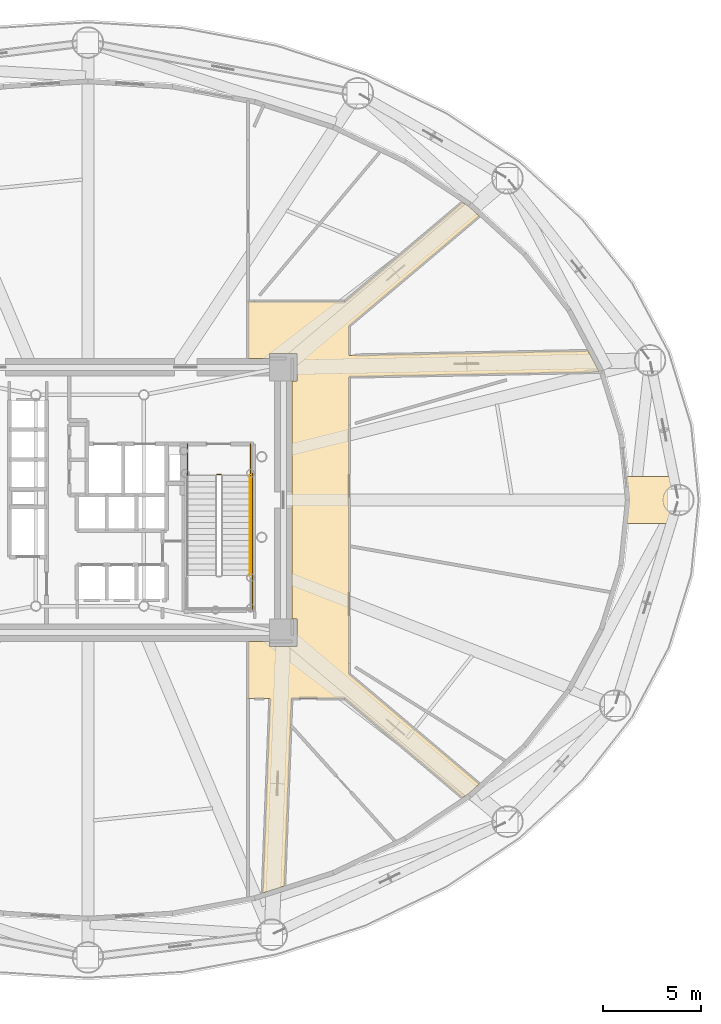
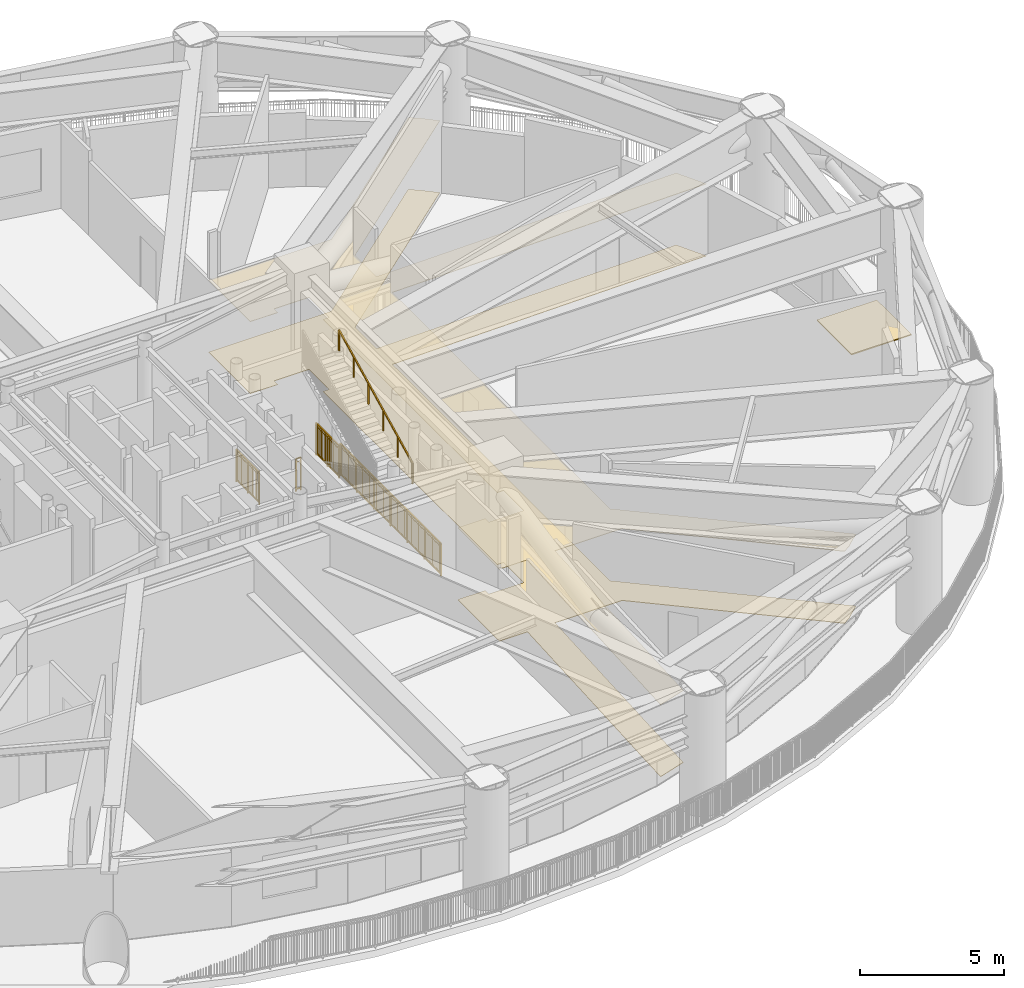
# One storey, part 22 of 22: 5 railings, 3 coverings.
"""IFC4 building model written with IfcOpenShell, lengths in metres."""

from ifc_helpers import new_model, si_unit, direction, frame, origin, origin_2d, place, context, subcontext, project, spatial, polyline, rectangle, outline, extrude, source, transform, mapped, material, layer, layer_set, type_object, element, save


model = new_model("IFC4")

# Units and contexts
model_context = context("Model", 3, precision=1e-05, world=origin(), true_north=direction((0.0, 1.0)))
body_context = subcontext(model_context, "Body", "Model", "MODEL_VIEW")
ifc_project = project(units=[si_unit("LENGTHUNIT", "METRE"), si_unit("AREAUNIT", "SQUARE_METRE"), si_unit("VOLUMEUNIT", "CUBIC_METRE"), si_unit("PLANEANGLEUNIT", "RADIAN"), si_unit("MASSUNIT", "GRAM", prefix="KILO")], contexts=[model_context])

# Site, building, storey
site_placement = place(None, origin())
site = spatial("IfcSite", under=ifc_project, at=site_placement, CompositionType="ELEMENT")
building_placement = place(site_placement, origin())
building = spatial("IfcBuilding", under=site, at=building_placement, Name="Linh Dai School and Residence Tower", CompositionType="ELEMENT")
storey_placement = place(building_placement, frame((0.0, 0.0, 87.0)))
storey = spatial("IfcBuildingStorey", under=building, at=storey_placement, Name="L20", CompositionType="ELEMENT", Elevation=87.0)

# Coverings
ifc_material_1 = material(Name="Mineral Fibre Acoustic Suspended Ceiling", Category="masonry")
ifc_layer_1 = layer(ifc_material_1, 0.02001953125)
ifc_layer_set_1 = layer_set([ifc_layer_1], Name="Mineral Fibre Acoustic Suspended Ceiling")
covering_type_1 = type_object("IfcCoveringType", Name="COV-CEIL-AC-20", PredefinedType="CEILING", material=ifc_layer_set_1)
covering_1_placement = place(storey_placement, frame((0.0, 0.0, 3.050048828125)))
element("IfcCovering", 1, at=covering_1_placement, inside=storey, type_object=covering_type_1, Name="L20 Plant and Refuge Access Corridor East Suspended Ceiling", PredefinedType="CEILING", context=body_context, shape_type="SweptSolid", body=[
    extrude(outline(polyline([(46.371337890625, 16.89990234375), (46.003662109375, 7.355224609375), (44.888916015625, 6.99658203125), (45.2705078125, 16.89990234375), (44.14990234375, 16.89990234375), (44.14990234375, 19.800048828125), (45.25, 19.800048828125), (45.25, 19.550048828125), (46.64990234375, 19.550048828125), (46.64990234375, 20.949951171875), (46.39990234375, 20.949951171875), (46.39990234375, 33.050048828125), (46.64990234375, 33.050048828125), (46.64990234375, 34.449951171875), (45.25, 34.449951171875), (45.25, 34.199951171875), (44.14990234375, 34.199951171875), (44.14990234375, 37.10009765625), (49.068115234375, 37.10009765625), (55.061279296875, 42.15576171875), (55.36279296875, 41.955810546875), (55.9248046875, 41.445068359375), (49.300048828125, 35.8564453125), (49.300048828125, 34.364501953125), (61.446533203125, 34.597900390625), (62.027587890625, 33.5087890625), (49.300048828125, 33.264404296875), (49.300048828125, 18.1435546875), (55.9248046875, 12.554931640625), (55.36279296875, 12.044189453125), (55.061279296875, 11.84423828125), (49.068115234375, 16.89990234375), (46.371337890625, 16.89990234375)])), origin(), (0.0, 0.0, 1.0), 0.02001953125),
])
ifc_material_2 = material(Name="Polished Terrazzo Floor Finish", Category="masonry")
ifc_layer_2 = layer(ifc_material_2, 0.02490234375)
ifc_layer_set_2 = layer_set([ifc_layer_2], Name="Polished Terrazzo Floor Finish")
covering_type_2 = type_object("IfcCoveringType", Name="COV-FLR-TRZ-25", PredefinedType="FLOORING", material=ifc_layer_set_2)
covering_2_placement = place(storey_placement, origin())
element("IfcCovering", 2, at=covering_2_placement, inside=storey, type_object=covering_type_2, Name="L20 Plant and Refuge Access Corridor East Floor Finish", PredefinedType="FLOORING", context=body_context, shape_type="SweptSolid", body=[
    extrude(outline(polyline([(46.371337890625, 16.89990234375), (46.003662109375, 7.355224609375), (44.888916015625, 6.99658203125), (45.2705078125, 16.89990234375), (44.14990234375, 16.89990234375), (44.14990234375, 19.800048828125), (45.25, 19.800048828125), (45.25, 19.550048828125), (46.64990234375, 19.550048828125), (46.64990234375, 20.949951171875), (46.39990234375, 20.949951171875), (46.39990234375, 33.050048828125), (46.64990234375, 33.050048828125), (46.64990234375, 34.449951171875), (45.25, 34.449951171875), (45.25, 34.199951171875), (44.14990234375, 34.199951171875), (44.14990234375, 37.10009765625), (49.068115234375, 37.10009765625), (55.061279296875, 42.15576171875), (55.36279296875, 41.955810546875), (55.9248046875, 41.445068359375), (49.300048828125, 35.8564453125), (49.300048828125, 34.364501953125), (61.446533203125, 34.597900390625), (62.027587890625, 33.5087890625), (49.300048828125, 33.264404296875), (49.300048828125, 18.1435546875), (55.9248046875, 12.554931640625), (55.36279296875, 12.044189453125), (55.061279296875, 11.84423828125), (49.068115234375, 16.89990234375), (46.371337890625, 16.89990234375)])), origin(), (0.0, 0.0, 1.0), 0.02001953125),
])
ifc_material_3 = material(Name="TPO Insulated Waterproofing Roof Membrane", Category="masonry")
ifc_layer_3 = layer(ifc_material_3, 0.044921875)
ifc_layer_set_3 = layer_set([ifc_layer_3], Name="TPO Insulated Waterproofing Roof Membrane")
covering_type_3 = type_object("IfcCoveringType", Name="COV-ROOF-MEM-45", PredefinedType="ROOFING", material=ifc_layer_set_3)
covering_3_placement = place(storey_placement, origin())
element("IfcCovering", 3, at=covering_3_placement, inside=storey, type_object=covering_type_3, Name="L20 Deck Waterproofing Membrane Zone", PredefinedType="ROOFING", context=body_context, shape_type="SweptSolid", body=[
    extrude(outline(polyline([(63.39990234375, 25.800048828125), (65.800048828125, 25.800048828125), (65.800048828125, 28.199951171875), (63.39990234375, 28.199951171875), (63.39990234375, 25.800048828125)])), origin(), (0.0, 0.0, 1.0), 0.044921875),
])

# Railings
ifc_material_4 = material(Name="Brushed Stainless Steel Handrail", Category="steel")
railing_type_1 = type_object("IfcRailingType", Name="RL-ST-HANDRAIL-900", PredefinedType="HANDRAIL", material=ifc_material_4)
shared_shape_1 = source(origin(), body_context, "Body", "SweptSolid", [
    extrude(rectangle(XDim=0.048095703125, YDim=0.048095703125, at=origin_2d()), frame((0.0, 0.0, 0.8759765625), z_axis=(0.0, 0.89444431709, 0.44717934168), x_axis=(-1.0, 0.0, 0.0)), (0.0, 0.0, 1.0), 5.701904296875),
    extrude(rectangle(XDim=0.0419921875, YDim=0.0419921875, at=origin_2d()), origin(), (0.0, 0.0, 1.0), 0.8759765625),
    extrude(rectangle(XDim=0.0419921875, YDim=0.0419921875, at=origin_2d()), frame((0.0, 1.02001953125, 0.510009765625)), (0.0, 0.0, 1.0), 0.8759765625),
    extrude(rectangle(XDim=0.0419921875, YDim=0.0419921875, at=origin_2d()), frame((0.0, 2.0400390625, 1.02001953125)), (0.0, 0.0, 1.0), 0.8759765625),
    extrude(rectangle(XDim=0.0419921875, YDim=0.0419921875, at=origin_2d()), frame((0.0, 3.06005859375, 1.52978515625)), (0.0, 0.0, 1.0), 0.8759765625),
    extrude(rectangle(XDim=0.0419921875, YDim=0.0419921875, at=origin_2d()), frame((0.0, 4.080078125, 2.039794921875)), (0.0, 0.0, 1.0), 0.8759765625),
    extrude(rectangle(XDim=0.0419921875, YDim=0.0419921875, at=origin_2d()), frame((0.0, 5.10009765625, 2.5498046875)), (0.0, 0.0, 1.0), 0.8759765625),
])
railing_1_placement = place(storey_placement, frame((44.27001953125, 23.14990234375, 2.85009765625)))
element("IfcRailing", 4, at=railing_1_placement, inside=storey, type_object=railing_type_1, Name="L20 ST2 stair handrail 2", PredefinedType="HANDRAIL", context=body_context, shape_type="MappedRepresentation", body=[
    mapped(shared_shape_1, transform((0.0, 0.0, 0.0), x_axis=(1.0, 0.0, 0.0), y_axis=(0.0, 1.0, 0.0), z_axis=(0.0, 0.0, 1.0), scale=1.0)),
])
ifc_material_5 = material(Name="Structural Steel S355JR", Category="steel")
railing_type_2 = type_object("IfcRailingType", Name="RL-ST-GUARD-1400", PredefinedType="GUARDRAIL", material=ifc_material_5)
shared_shape_2 = source(origin(), body_context, "Body", "SweptSolid", [
    extrude(rectangle(XDim=0.048095703125, YDim=0.048095703125, at=origin_2d()), frame((0.0, 0.0, 1.3759765625), z_axis=(1.0, 0.0, 0.0), x_axis=(0.0, 1.0, 0.0)), (0.0, 0.0, 1.0), 0.199951171875),
    extrude(rectangle(XDim=0.048095703125, YDim=0.048095703125, at=origin_2d()), frame((0.0, 0.0, 0.10009765625), z_axis=(1.0, 0.0, 0.0), x_axis=(0.0, 1.0, 0.0)), (0.0, 0.0, 1.0), 0.199951171875),
    extrude(rectangle(XDim=0.030029296875, YDim=0.030029296875, at=origin_2d()), frame((0.0, 0.0, 1.239990234375), z_axis=(1.0, 0.0, 0.0), x_axis=(0.0, 1.0, 0.0)), (0.0, 0.0, 1.0), 0.199951171875),
    extrude(rectangle(XDim=0.0419921875, YDim=0.0419921875, at=origin_2d()), origin(), (0.0, 0.0, 1.0), 1.3759765625),
    extrude(rectangle(XDim=0.0419921875, YDim=0.0419921875, at=origin_2d()), frame((0.199951171875, 0.0, 0.0)), (0.0, 0.0, 1.0), 1.3759765625),
])
railing_2_placement = place(storey_placement, frame((42.570068359375, 28.300048828125, 0.0)))
element("IfcRailing", 5, at=railing_2_placement, inside=storey, type_object=railing_type_2, Name="L20 ST2 stair guard 7", PredefinedType="GUARDRAIL", context=body_context, shape_type="MappedRepresentation", body=[
    mapped(shared_shape_2, transform((0.0, 0.0, 0.0), x_axis=(1.0, 0.0, 0.0), y_axis=(0.0, 1.0, 0.0), z_axis=(0.0, 0.0, 1.0), scale=1.0)),
])
shared_shape_3 = source(origin(), body_context, "Body", "SweptSolid", [
    extrude(rectangle(XDim=0.048095703125, YDim=0.048095703125, at=origin_2d()), frame((0.0, 0.0, 1.3759765625), z_axis=(0.0, -1.0, 0.0), x_axis=(1.0, 0.0, 0.0)), (0.0, 0.0, 1.0), 1.60009765625),
    extrude(rectangle(XDim=0.048095703125, YDim=0.048095703125, at=origin_2d()), frame((0.0, 0.0, 0.10009765625), z_axis=(0.0, -1.0, 0.0), x_axis=(1.0, 0.0, 0.0)), (0.0, 0.0, 1.0), 1.60009765625),
    extrude(rectangle(XDim=0.030029296875, YDim=0.030029296875, at=origin_2d()), frame((0.0, 0.0, 1.239990234375), z_axis=(0.0, -1.0, 0.0), x_axis=(1.0, 0.0, 0.0)), (0.0, 0.0, 1.0), 1.60009765625),
    extrude(rectangle(XDim=0.02001953125, YDim=0.02001953125, at=origin_2d()), frame((0.0, -0.09423828125, 0.10009765625)), (0.0, 0.0, 1.0), 1.251708984375),
    extrude(rectangle(XDim=0.02001953125, YDim=0.02001953125, at=origin_2d()), frame((0.0, -0.188232421875, 0.10009765625)), (0.0, 0.0, 1.0), 1.251708984375),
    extrude(rectangle(XDim=0.02001953125, YDim=0.02001953125, at=origin_2d()), frame((0.0, -0.282470703125, 0.10009765625)), (0.0, 0.0, 1.0), 1.251708984375),
    extrude(rectangle(XDim=0.02001953125, YDim=0.02001953125, at=origin_2d()), frame((0.0, -0.37646484375, 0.10009765625)), (0.0, 0.0, 1.0), 1.251708984375),
    extrude(rectangle(XDim=0.02001953125, YDim=0.02001953125, at=origin_2d()), frame((0.0, -0.470703125, 0.10009765625)), (0.0, 0.0, 1.0), 1.251708984375),
    extrude(rectangle(XDim=0.02001953125, YDim=0.02001953125, at=origin_2d()), frame((0.0, -0.564697265625, 0.10009765625)), (0.0, 0.0, 1.0), 1.251708984375),
    extrude(rectangle(XDim=0.02001953125, YDim=0.02001953125, at=origin_2d()), frame((0.0, -0.658935546875, 0.10009765625)), (0.0, 0.0, 1.0), 1.251708984375),
    extrude(rectangle(XDim=0.02001953125, YDim=0.02001953125, at=origin_2d()), frame((0.0, -0.7529296875, 0.10009765625)), (0.0, 0.0, 1.0), 1.251708984375),
    extrude(rectangle(XDim=0.02001953125, YDim=0.02001953125, at=origin_2d()), frame((0.0, -0.84716796875, 0.10009765625)), (0.0, 0.0, 1.0), 1.251708984375),
    extrude(rectangle(XDim=0.02001953125, YDim=0.02001953125, at=origin_2d()), frame((0.0, -0.941162109375, 0.10009765625)), (0.0, 0.0, 1.0), 1.251708984375),
    extrude(rectangle(XDim=0.02001953125, YDim=0.02001953125, at=origin_2d()), frame((0.0, -1.035400390625, 0.10009765625)), (0.0, 0.0, 1.0), 1.251708984375),
    extrude(rectangle(XDim=0.02001953125, YDim=0.02001953125, at=origin_2d()), frame((0.0, -1.12939453125, 0.10009765625)), (0.0, 0.0, 1.0), 1.251708984375),
    extrude(rectangle(XDim=0.02001953125, YDim=0.02001953125, at=origin_2d()), frame((0.0, -1.2236328125, 0.10009765625)), (0.0, 0.0, 1.0), 1.251708984375),
    extrude(rectangle(XDim=0.02001953125, YDim=0.02001953125, at=origin_2d()), frame((0.0, -1.317626953125, 0.10009765625)), (0.0, 0.0, 1.0), 1.251708984375),
    extrude(rectangle(XDim=0.02001953125, YDim=0.02001953125, at=origin_2d()), frame((0.0, -1.411865234375, 0.10009765625)), (0.0, 0.0, 1.0), 1.251708984375),
    extrude(rectangle(XDim=0.02001953125, YDim=0.02001953125, at=origin_2d()), frame((0.0, -1.505859375, 0.10009765625)), (0.0, 0.0, 1.0), 1.251708984375),
    extrude(rectangle(XDim=0.0419921875, YDim=0.0419921875, at=origin_2d()), origin(), (0.0, 0.0, 1.0), 1.3759765625),
    extrude(rectangle(XDim=0.0419921875, YDim=0.0419921875, at=origin_2d()), frame((0.0, -0.800048828125, 0.0)), (0.0, 0.0, 1.0), 1.3759765625),
    extrude(rectangle(XDim=0.0419921875, YDim=0.0419921875, at=origin_2d()), frame((0.0, -1.60009765625, 0.0)), (0.0, 0.0, 1.0), 1.3759765625),
])
for number, where, name in (
    (6, (41.070068359375, 29.85009765625, 0.0), "L20 ST2 stair guard 8"),
    (7, (44.27001953125, 29.85009765625, 0.0), "L20 ST2 stair guard 9"),
):
    element("IfcRailing", number, at=place(storey_placement, frame(where)), inside=storey, type_object=railing_type_2, Name=name, PredefinedType="GUARDRAIL", context=body_context, shape_type="MappedRepresentation", body=[
        mapped(shared_shape_3, transform((0.0, 0.0, 0.0), x_axis=(1.0, 0.0, 0.0), y_axis=(0.0, 1.0, 0.0), z_axis=(0.0, 0.0, 1.0), scale=1.0)),
    ])
shared_shape_4 = source(origin(), body_context, "Body", "SweptSolid", [
    extrude(rectangle(XDim=0.048095703125, YDim=0.048095703125, at=origin_2d()), frame((0.0, 0.0, 1.3759765625), z_axis=(0.0, -1.0, 0.0), x_axis=(1.0, 0.0, 0.0)), (0.0, 0.0, 1.0), 7.0),
    extrude(rectangle(XDim=0.048095703125, YDim=0.048095703125, at=origin_2d()), frame((0.0, 0.0, 0.10009765625), z_axis=(0.0, -1.0, 0.0), x_axis=(1.0, 0.0, 0.0)), (0.0, 0.0, 1.0), 7.0),
    extrude(rectangle(XDim=0.030029296875, YDim=0.030029296875, at=origin_2d()), frame((0.0, 0.0, 1.239990234375), z_axis=(0.0, -1.0, 0.0), x_axis=(1.0, 0.0, 0.0)), (0.0, 0.0, 1.0), 7.0),
    extrude(rectangle(XDim=0.02001953125, YDim=0.02001953125, at=origin_2d()), frame((0.0, -0.09716796875, 0.10009765625)), (0.0, 0.0, 1.0), 1.251708984375),
    extrude(rectangle(XDim=0.02001953125, YDim=0.02001953125, at=origin_2d()), frame((0.0, -0.1943359375, 0.10009765625)), (0.0, 0.0, 1.0), 1.251708984375),
    extrude(rectangle(XDim=0.02001953125, YDim=0.02001953125, at=origin_2d()), frame((0.0, -0.291748046875, 0.10009765625)), (0.0, 0.0, 1.0), 1.251708984375),
    extrude(rectangle(XDim=0.02001953125, YDim=0.02001953125, at=origin_2d()), frame((0.0, -0.388916015625, 0.10009765625)), (0.0, 0.0, 1.0), 1.251708984375),
    extrude(rectangle(XDim=0.02001953125, YDim=0.02001953125, at=origin_2d()), frame((0.0, -0.486083984375, 0.10009765625)), (0.0, 0.0, 1.0), 1.251708984375),
    extrude(rectangle(XDim=0.02001953125, YDim=0.02001953125, at=origin_2d()), frame((0.0, -0.583251953125, 0.10009765625)), (0.0, 0.0, 1.0), 1.251708984375),
    extrude(rectangle(XDim=0.02001953125, YDim=0.02001953125, at=origin_2d()), frame((0.0, -0.6806640625, 0.10009765625)), (0.0, 0.0, 1.0), 1.251708984375),
    extrude(rectangle(XDim=0.02001953125, YDim=0.02001953125, at=origin_2d()), frame((0.0, -0.77783203125, 0.10009765625)), (0.0, 0.0, 1.0), 1.251708984375),
    extrude(rectangle(XDim=0.02001953125, YDim=0.02001953125, at=origin_2d()), frame((0.0, -0.875, 0.10009765625)), (0.0, 0.0, 1.0), 1.251708984375),
    extrude(rectangle(XDim=0.02001953125, YDim=0.02001953125, at=origin_2d()), frame((0.0, -0.97216796875, 0.10009765625)), (0.0, 0.0, 1.0), 1.251708984375),
    extrude(rectangle(XDim=0.02001953125, YDim=0.02001953125, at=origin_2d()), frame((0.0, -1.0693359375, 0.10009765625)), (0.0, 0.0, 1.0), 1.251708984375),
    extrude(rectangle(XDim=0.02001953125, YDim=0.02001953125, at=origin_2d()), frame((0.0, -1.263916015625, 0.10009765625)), (0.0, 0.0, 1.0), 1.251708984375),
    extrude(rectangle(XDim=0.02001953125, YDim=0.02001953125, at=origin_2d()), frame((0.0, -1.361083984375, 0.10009765625)), (0.0, 0.0, 1.0), 1.251708984375),
    extrude(rectangle(XDim=0.02001953125, YDim=0.02001953125, at=origin_2d()), frame((0.0, -1.458251953125, 0.10009765625)), (0.0, 0.0, 1.0), 1.251708984375),
    extrude(rectangle(XDim=0.02001953125, YDim=0.02001953125, at=origin_2d()), frame((0.0, -1.5556640625, 0.10009765625)), (0.0, 0.0, 1.0), 1.251708984375),
    extrude(rectangle(XDim=0.02001953125, YDim=0.02001953125, at=origin_2d()), frame((0.0, -1.65283203125, 0.10009765625)), (0.0, 0.0, 1.0), 1.251708984375),
    extrude(rectangle(XDim=0.02001953125, YDim=0.02001953125, at=origin_2d()), frame((0.0, -1.75, 0.10009765625)), (0.0, 0.0, 1.0), 1.251708984375),
    extrude(rectangle(XDim=0.02001953125, YDim=0.02001953125, at=origin_2d()), frame((0.0, -1.84716796875, 0.10009765625)), (0.0, 0.0, 1.0), 1.251708984375),
    extrude(rectangle(XDim=0.02001953125, YDim=0.02001953125, at=origin_2d()), frame((0.0, -1.9443359375, 0.10009765625)), (0.0, 0.0, 1.0), 1.251708984375),
    extrude(rectangle(XDim=0.02001953125, YDim=0.02001953125, at=origin_2d()), frame((0.0, -2.041748046875, 0.10009765625)), (0.0, 0.0, 1.0), 1.251708984375),
    extrude(rectangle(XDim=0.02001953125, YDim=0.02001953125, at=origin_2d()), frame((0.0, -2.138916015625, 0.10009765625)), (0.0, 0.0, 1.0), 1.251708984375),
    extrude(rectangle(XDim=0.02001953125, YDim=0.02001953125, at=origin_2d()), frame((0.0, -2.236083984375, 0.10009765625)), (0.0, 0.0, 1.0), 1.251708984375),
    extrude(rectangle(XDim=0.02001953125, YDim=0.02001953125, at=origin_2d()), frame((0.0, -2.4306640625, 0.10009765625)), (0.0, 0.0, 1.0), 1.251708984375),
    extrude(rectangle(XDim=0.02001953125, YDim=0.02001953125, at=origin_2d()), frame((0.0, -2.52783203125, 0.10009765625)), (0.0, 0.0, 1.0), 1.251708984375),
    extrude(rectangle(XDim=0.02001953125, YDim=0.02001953125, at=origin_2d()), frame((0.0, -2.625, 0.10009765625)), (0.0, 0.0, 1.0), 1.251708984375),
    extrude(rectangle(XDim=0.02001953125, YDim=0.02001953125, at=origin_2d()), frame((0.0, -2.72216796875, 0.10009765625)), (0.0, 0.0, 1.0), 1.251708984375),
    extrude(rectangle(XDim=0.02001953125, YDim=0.02001953125, at=origin_2d()), frame((0.0, -2.8193359375, 0.10009765625)), (0.0, 0.0, 1.0), 1.251708984375),
    extrude(rectangle(XDim=0.02001953125, YDim=0.02001953125, at=origin_2d()), frame((0.0, -2.916748046875, 0.10009765625)), (0.0, 0.0, 1.0), 1.251708984375),
    extrude(rectangle(XDim=0.02001953125, YDim=0.02001953125, at=origin_2d()), frame((0.0, -3.013916015625, 0.10009765625)), (0.0, 0.0, 1.0), 1.251708984375),
    extrude(rectangle(XDim=0.02001953125, YDim=0.02001953125, at=origin_2d()), frame((0.0, -3.111083984375, 0.10009765625)), (0.0, 0.0, 1.0), 1.251708984375),
    extrude(rectangle(XDim=0.02001953125, YDim=0.02001953125, at=origin_2d()), frame((0.0, -3.208251953125, 0.10009765625)), (0.0, 0.0, 1.0), 1.251708984375),
    extrude(rectangle(XDim=0.02001953125, YDim=0.02001953125, at=origin_2d()), frame((0.0, -3.3056640625, 0.10009765625)), (0.0, 0.0, 1.0), 1.251708984375),
    extrude(rectangle(XDim=0.02001953125, YDim=0.02001953125, at=origin_2d()), frame((0.0, -3.40283203125, 0.10009765625)), (0.0, 0.0, 1.0), 1.251708984375),
    extrude(rectangle(XDim=0.02001953125, YDim=0.02001953125, at=origin_2d()), frame((0.0, -3.59716796875, 0.10009765625)), (0.0, 0.0, 1.0), 1.251708984375),
    extrude(rectangle(XDim=0.02001953125, YDim=0.02001953125, at=origin_2d()), frame((0.0, -3.6943359375, 0.10009765625)), (0.0, 0.0, 1.0), 1.251708984375),
    extrude(rectangle(XDim=0.02001953125, YDim=0.02001953125, at=origin_2d()), frame((0.0, -3.791748046875, 0.10009765625)), (0.0, 0.0, 1.0), 1.251708984375),
    extrude(rectangle(XDim=0.02001953125, YDim=0.02001953125, at=origin_2d()), frame((0.0, -3.888916015625, 0.10009765625)), (0.0, 0.0, 1.0), 1.251708984375),
    extrude(rectangle(XDim=0.02001953125, YDim=0.02001953125, at=origin_2d()), frame((0.0, -3.986083984375, 0.10009765625)), (0.0, 0.0, 1.0), 1.251708984375),
    extrude(rectangle(XDim=0.02001953125, YDim=0.02001953125, at=origin_2d()), frame((0.0, -4.083251953125, 0.10009765625)), (0.0, 0.0, 1.0), 1.251708984375),
    extrude(rectangle(XDim=0.02001953125, YDim=0.02001953125, at=origin_2d()), frame((0.0, -4.1806640625, 0.10009765625)), (0.0, 0.0, 1.0), 1.251708984375),
    extrude(rectangle(XDim=0.02001953125, YDim=0.02001953125, at=origin_2d()), frame((0.0, -4.27783203125, 0.10009765625)), (0.0, 0.0, 1.0), 1.251708984375),
    extrude(rectangle(XDim=0.02001953125, YDim=0.02001953125, at=origin_2d()), frame((0.0, -4.375, 0.10009765625)), (0.0, 0.0, 1.0), 1.251708984375),
    extrude(rectangle(XDim=0.02001953125, YDim=0.02001953125, at=origin_2d()), frame((0.0, -4.47216796875, 0.10009765625)), (0.0, 0.0, 1.0), 1.251708984375),
    extrude(rectangle(XDim=0.02001953125, YDim=0.02001953125, at=origin_2d()), frame((0.0, -4.5693359375, 0.10009765625)), (0.0, 0.0, 1.0), 1.251708984375),
    extrude(rectangle(XDim=0.02001953125, YDim=0.02001953125, at=origin_2d()), frame((0.0, -4.763916015625, 0.10009765625)), (0.0, 0.0, 1.0), 1.251708984375),
    extrude(rectangle(XDim=0.02001953125, YDim=0.02001953125, at=origin_2d()), frame((0.0, -4.861083984375, 0.10009765625)), (0.0, 0.0, 1.0), 1.251708984375),
    extrude(rectangle(XDim=0.02001953125, YDim=0.02001953125, at=origin_2d()), frame((0.0, -4.958251953125, 0.10009765625)), (0.0, 0.0, 1.0), 1.251708984375),
    extrude(rectangle(XDim=0.02001953125, YDim=0.02001953125, at=origin_2d()), frame((0.0, -5.0556640625, 0.10009765625)), (0.0, 0.0, 1.0), 1.251708984375),
    extrude(rectangle(XDim=0.02001953125, YDim=0.02001953125, at=origin_2d()), frame((0.0, -5.15283203125, 0.10009765625)), (0.0, 0.0, 1.0), 1.251708984375),
    extrude(rectangle(XDim=0.02001953125, YDim=0.02001953125, at=origin_2d()), frame((0.0, -5.25, 0.10009765625)), (0.0, 0.0, 1.0), 1.251708984375),
    extrude(rectangle(XDim=0.02001953125, YDim=0.02001953125, at=origin_2d()), frame((0.0, -5.34716796875, 0.10009765625)), (0.0, 0.0, 1.0), 1.251708984375),
    extrude(rectangle(XDim=0.02001953125, YDim=0.02001953125, at=origin_2d()), frame((0.0, -5.4443359375, 0.10009765625)), (0.0, 0.0, 1.0), 1.251708984375),
    extrude(rectangle(XDim=0.02001953125, YDim=0.02001953125, at=origin_2d()), frame((0.0, -5.541748046875, 0.10009765625)), (0.0, 0.0, 1.0), 1.251708984375),
    extrude(rectangle(XDim=0.02001953125, YDim=0.02001953125, at=origin_2d()), frame((0.0, -5.638916015625, 0.10009765625)), (0.0, 0.0, 1.0), 1.251708984375),
    extrude(rectangle(XDim=0.02001953125, YDim=0.02001953125, at=origin_2d()), frame((0.0, -5.736083984375, 0.10009765625)), (0.0, 0.0, 1.0), 1.251708984375),
    extrude(rectangle(XDim=0.02001953125, YDim=0.02001953125, at=origin_2d()), frame((0.0, -5.9306640625, 0.10009765625)), (0.0, 0.0, 1.0), 1.251708984375),
    extrude(rectangle(XDim=0.02001953125, YDim=0.02001953125, at=origin_2d()), frame((0.0, -6.02783203125, 0.10009765625)), (0.0, 0.0, 1.0), 1.251708984375),
    extrude(rectangle(XDim=0.02001953125, YDim=0.02001953125, at=origin_2d()), frame((0.0, -6.125, 0.10009765625)), (0.0, 0.0, 1.0), 1.251708984375),
    extrude(rectangle(XDim=0.02001953125, YDim=0.02001953125, at=origin_2d()), frame((0.0, -6.22216796875, 0.10009765625)), (0.0, 0.0, 1.0), 1.251708984375),
    extrude(rectangle(XDim=0.02001953125, YDim=0.02001953125, at=origin_2d()), frame((0.0, -6.3193359375, 0.10009765625)), (0.0, 0.0, 1.0), 1.251708984375),
    extrude(rectangle(XDim=0.02001953125, YDim=0.02001953125, at=origin_2d()), frame((0.0, -6.416748046875, 0.10009765625)), (0.0, 0.0, 1.0), 1.251708984375),
    extrude(rectangle(XDim=0.02001953125, YDim=0.02001953125, at=origin_2d()), frame((0.0, -6.513916015625, 0.10009765625)), (0.0, 0.0, 1.0), 1.251708984375),
    extrude(rectangle(XDim=0.02001953125, YDim=0.02001953125, at=origin_2d()), frame((0.0, -6.611083984375, 0.10009765625)), (0.0, 0.0, 1.0), 1.251708984375),
    extrude(rectangle(XDim=0.02001953125, YDim=0.02001953125, at=origin_2d()), frame((0.0, -6.708251953125, 0.10009765625)), (0.0, 0.0, 1.0), 1.251708984375),
    extrude(rectangle(XDim=0.02001953125, YDim=0.02001953125, at=origin_2d()), frame((0.0, -6.8056640625, 0.10009765625)), (0.0, 0.0, 1.0), 1.251708984375),
    extrude(rectangle(XDim=0.02001953125, YDim=0.02001953125, at=origin_2d()), frame((0.0, -6.90283203125, 0.10009765625)), (0.0, 0.0, 1.0), 1.251708984375),
    extrude(rectangle(XDim=0.0419921875, YDim=0.0419921875, at=origin_2d()), origin(), (0.0, 0.0, 1.0), 1.3759765625),
    extrude(rectangle(XDim=0.0419921875, YDim=0.0419921875, at=origin_2d()), frame((0.0, -1.166748046875, 0.0)), (0.0, 0.0, 1.0), 1.3759765625),
    extrude(rectangle(XDim=0.0419921875, YDim=0.0419921875, at=origin_2d()), frame((0.0, -2.333251953125, 0.0)), (0.0, 0.0, 1.0), 1.3759765625),
    extrude(rectangle(XDim=0.0419921875, YDim=0.0419921875, at=origin_2d()), frame((0.0, -3.5, 0.0)), (0.0, 0.0, 1.0), 1.3759765625),
    extrude(rectangle(XDim=0.0419921875, YDim=0.0419921875, at=origin_2d()), frame((0.0, -4.666748046875, 0.0)), (0.0, 0.0, 1.0), 1.3759765625),
    extrude(rectangle(XDim=0.0419921875, YDim=0.0419921875, at=origin_2d()), frame((0.0, -5.833251953125, 0.0)), (0.0, 0.0, 1.0), 1.3759765625),
    extrude(rectangle(XDim=0.0419921875, YDim=0.0419921875, at=origin_2d()), frame((0.0, -7.0, 0.0)), (0.0, 0.0, 1.0), 1.3759765625),
])
railing_3_placement = place(storey_placement, frame((44.3701171875, 28.35009765625, 0.0)))
element("IfcRailing", 8, at=railing_3_placement, inside=storey, type_object=railing_type_2, Name="L20 ST2 stair guard 11", PredefinedType="GUARDRAIL", context=body_context, shape_type="MappedRepresentation", body=[
    mapped(shared_shape_4, transform((0.0, 0.0, 0.0), x_axis=(1.0, 0.0, 0.0), y_axis=(0.0, 1.0, 0.0), z_axis=(0.0, 0.0, 1.0), scale=1.0)),
])

save(model, "model.ifc")
